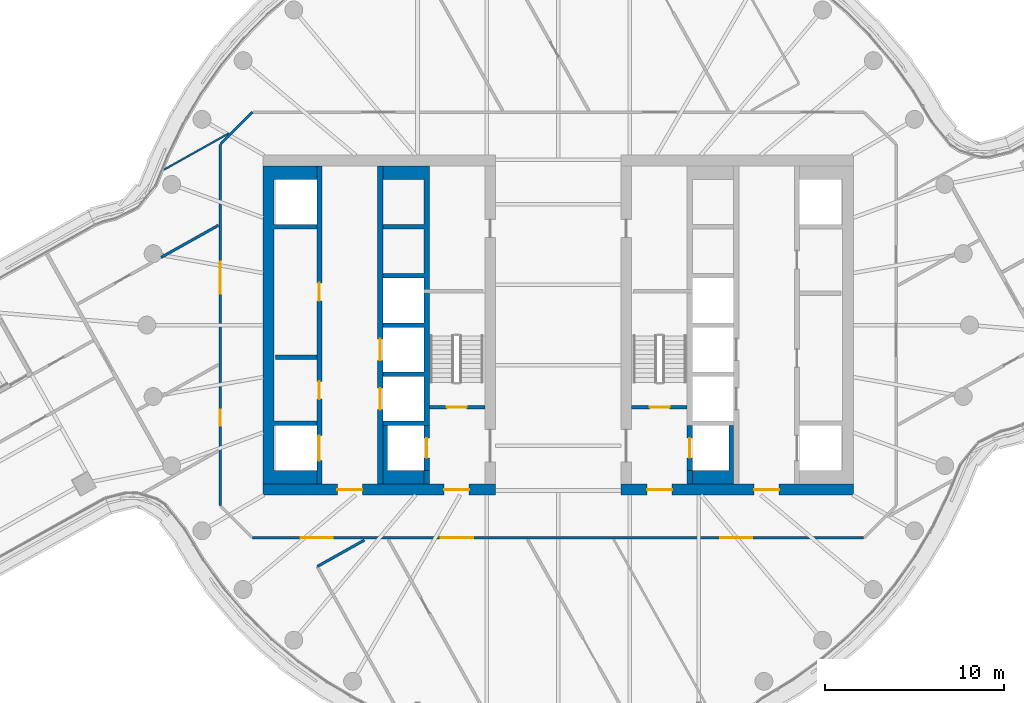
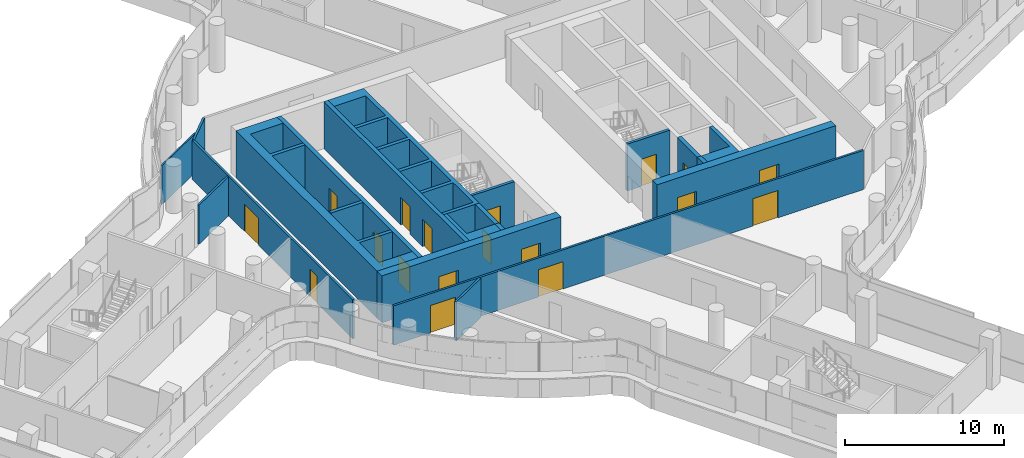
# One storey, part 22 of 34: 21 walls, 18 doors, 18 openings.
"""IFC4 building model written with IfcOpenShell, lengths in metres."""

from ifc_helpers import new_model, si_unit, direction, frame, frame_2d, origin, place, context, subcontext, project, spatial, polyline, rectangle, outline, extrude, material, layer, layer_set, type_object, element, fill, save


model = new_model("IFC4")

# Units and contexts
model_context = context("Model", 3, precision=1e-05, world=origin(), true_north=direction((0.0, 1.0)))
body_context = subcontext(model_context, "Body", "Model", "MODEL_VIEW")
ifc_project = project(units=[si_unit("LENGTHUNIT", "METRE"), si_unit("AREAUNIT", "SQUARE_METRE"), si_unit("VOLUMEUNIT", "CUBIC_METRE"), si_unit("PLANEANGLEUNIT", "RADIAN"), si_unit("MASSUNIT", "GRAM", prefix="KILO")], contexts=[model_context])

# Site, building, storey
site_placement = place(None, origin())
site = spatial("IfcSite", under=ifc_project, at=site_placement, CompositionType="ELEMENT")
building_placement = place(site_placement, origin())
building = spatial("IfcBuilding", under=site, at=building_placement, Name="Tamarind Cross Interchange Tower", CompositionType="ELEMENT")
storey_placement = place(building_placement, frame((0.0, 0.0, 140.5)))
storey = spatial("IfcBuildingStorey", under=building, at=storey_placement, Name="L34", CompositionType="ELEMENT", Elevation=140.5)

# Wall, openings, doors
ifc_material_1 = material(Name="Concrete C60", Category="concrete")
ifc_layer_1 = layer(ifc_material_1, 0.60009765625)
ifc_layer_set_1 = layer_set([ifc_layer_1], Name="Concrete C60")
wall_type_1 = type_object("IfcWallType", Name="Core wall 600 mm Concrete C60", PredefinedType="SHEAR", material=ifc_layer_set_1)
wall_1_placement = place(storey_placement, frame((-16.5, -9.199951171875, 0.0), z_axis=(0.0, 0.0, 1.0), x_axis=(1.0, 0.0, 0.0)))
wall_1 = element("IfcWall", 1, at=wall_1_placement, inside=storey, type_object=wall_type_1, Name="Core wall CWL-L34-W-S", PredefinedType="SHEAR", context=body_context, shape_type="SweptSolid", body=[
    extrude(rectangle(XDim=13.0, YDim=0.60009765625, at=frame_2d((6.5, 0.0))), origin(), (0.0, 0.0, 1.0), 3.610107421875),
])
opening_1_placement = place(wall_1_placement, frame((4.14990234375, 0.0, 0.0)))
opening_1 = element("IfcOpeningElement", 2, at=opening_1_placement, cuts=wall_1, Name="Opening DCW1", PredefinedType="OPENING", context=body_context, shape_type="SweptSolid", body=[
    extrude(rectangle(XDim=1.39990234375, YDim=2.10009765625, at=frame_2d((0.699951171875, 1.050048828125))), frame((0.0, 0.31005859375, 0.0), z_axis=(0.0, -1.0, 0.0), x_axis=(1.0, 0.0, 0.0)), (0.0, 0.0, 1.0), 0.6201171875),
])
opening_2_placement = place(wall_1_placement, frame((10.125, 0.0, 0.0)))
opening_2 = element("IfcOpeningElement", 3, at=opening_2_placement, cuts=wall_1, Name="Opening DCWF", PredefinedType="OPENING", context=body_context, shape_type="SweptSolid", body=[
    extrude(rectangle(XDim=1.39990234375, YDim=2.10009765625, at=frame_2d((0.699951171875, 1.050048828125))), frame((0.0, 0.31005859375, 0.0), z_axis=(0.0, -1.0, 0.0), x_axis=(1.0, 0.0, 0.0)), (0.0, 0.0, 1.0), 0.6201171875),
])
ifc_material_2 = material(Name="Steel, fire-resisting", Category="steel")
door_type_1 = type_object("IfcDoorType", Name="Core fire door 1400 x 2100 FD90", OperationType="SINGLE_SWING_LEFT", PredefinedType="DOOR", material=ifc_material_2)
door_1_placement = place(opening_1_placement, origin())
door_1 = element("IfcDoor", 4, at=door_1_placement, inside=storey, type_object=door_type_1, Name="L34 lift lobby door", OperationType="SINGLE_SWING_LEFT", OverallHeight=2.10009765625, OverallWidth=1.39990234375, PredefinedType="DOOR", context=body_context, shape_type="SweptSolid", body=[
    extrude(rectangle(XDim=1.39990234375, YDim=2.10009765625, at=frame_2d((0.699951171875, 1.050048828125))), frame((0.0, 0.02490234375, 0.0), z_axis=(0.0, -1.0, 0.0), x_axis=(1.0, 0.0, 0.0)), (0.0, 0.0, 1.0), 0.050048828125),
])
fill(opening_1, door_1)
door_2_placement = place(opening_2_placement, origin())
door_2 = element("IfcDoor", 5, at=door_2_placement, inside=storey, type_object=door_type_1, Name="L34 firefighting lobby end door", OperationType="SINGLE_SWING_LEFT", OverallHeight=2.10009765625, OverallWidth=1.39990234375, PredefinedType="DOOR", context=body_context, shape_type="SweptSolid", body=[
    extrude(rectangle(XDim=1.39990234375, YDim=2.10009765625, at=frame_2d((0.699951171875, 1.050048828125))), frame((0.0, 0.02490234375, 0.0), z_axis=(0.0, -1.0, 0.0), x_axis=(1.0, 0.0, 0.0)), (0.0, 0.0, 1.0), 0.050048828125),
])
fill(opening_2, door_2)

# Wall
wall_2_placement = place(storey_placement, origin())
element("IfcWall", 6, at=wall_2_placement, inside=storey, type_object=wall_type_1, Name="Core wall CWL-L34-W-A", PredefinedType="SHEAR", context=body_context, shape_type="SweptSolid", body=[
    extrude(outline(polyline([(-13.5, -8.125), (-15.89990234375, -8.125), (-15.89990234375, -5.625), (-13.5, -5.625), (-13.5, -5.375), (-15.89990234375, -5.375), (-15.89990234375, 5.375), (-13.5, 5.375), (-13.5, 5.625), (-15.89990234375, 5.625), (-15.89990234375, 8.125), (-13.5, 8.125), (-13.5, 8.89990234375), (-15.89990234375, 8.89990234375), (-16.5, 8.89990234375), (-16.5, -8.89990234375), (-15.89990234375, -8.89990234375), (-13.5, -8.89990234375), (-13.5, -8.125)])), origin(), (0.0, 0.0, 1.0), 3.610107421875),
])

# Wall, openings, doors
wall_3_placement = place(storey_placement, frame((16.5, -9.199951171875, 0.0), z_axis=(0.0, 0.0, 1.0), x_axis=(-1.0, 0.0, 0.0)))
wall_3 = element("IfcWall", 7, at=wall_3_placement, inside=storey, type_object=wall_type_1, Name="Core wall CWL-L34-E-S", PredefinedType="SHEAR", context=body_context, shape_type="SweptSolid", body=[
    extrude(rectangle(XDim=13.0, YDim=0.60009765625, at=frame_2d((6.5, 0.0))), origin(), (0.0, 0.0, 1.0), 3.610107421875),
])
opening_3_placement = place(wall_3_placement, frame((4.14990234375, 0.0, 0.0)))
opening_3 = element("IfcOpeningElement", 8, at=opening_3_placement, cuts=wall_3, Name="Opening DCE1", PredefinedType="OPENING", context=body_context, shape_type="SweptSolid", body=[
    extrude(rectangle(XDim=1.39990234375, YDim=2.10009765625, at=frame_2d((0.699951171875, 1.050048828125))), frame((0.0, 0.31005859375, 0.0), z_axis=(0.0, -1.0, 0.0), x_axis=(1.0, 0.0, 0.0)), (0.0, 0.0, 1.0), 0.6201171875),
])
opening_4_placement = place(wall_3_placement, frame((10.125, 0.0, 0.0)))
opening_4 = element("IfcOpeningElement", 9, at=opening_4_placement, cuts=wall_3, Name="Opening DCEF", PredefinedType="OPENING", context=body_context, shape_type="SweptSolid", body=[
    extrude(rectangle(XDim=1.39990234375, YDim=2.10009765625, at=frame_2d((0.699951171875, 1.050048828125))), frame((0.0, 0.31005859375, 0.0), z_axis=(0.0, -1.0, 0.0), x_axis=(1.0, 0.0, 0.0)), (0.0, 0.0, 1.0), 0.6201171875),
])
door_3_placement = place(opening_3_placement, origin())
door_3 = element("IfcDoor", 10, at=door_3_placement, inside=storey, type_object=door_type_1, Name="L34 lift lobby door", OperationType="SINGLE_SWING_LEFT", OverallHeight=2.10009765625, OverallWidth=1.39990234375, PredefinedType="DOOR", context=body_context, shape_type="SweptSolid", body=[
    extrude(rectangle(XDim=1.39990234375, YDim=2.10009765625, at=frame_2d((0.699951171875, 1.050048828125))), frame((0.0, 0.02490234375, 0.0), z_axis=(0.0, -1.0, 0.0), x_axis=(1.0, 0.0, 0.0)), (0.0, 0.0, 1.0), 0.050048828125),
])
fill(opening_3, door_3)
door_4_placement = place(opening_4_placement, origin())
door_4 = element("IfcDoor", 11, at=door_4_placement, inside=storey, type_object=door_type_1, Name="L34 firefighting lobby end door", OperationType="SINGLE_SWING_LEFT", OverallHeight=2.10009765625, OverallWidth=1.39990234375, PredefinedType="DOOR", context=body_context, shape_type="SweptSolid", body=[
    extrude(rectangle(XDim=1.39990234375, YDim=2.10009765625, at=frame_2d((0.699951171875, 1.050048828125))), frame((0.0, 0.02490234375, 0.0), z_axis=(0.0, -1.0, 0.0), x_axis=(1.0, 0.0, 0.0)), (0.0, 0.0, 1.0), 0.050048828125),
])
fill(opening_4, door_4)

# Walls
ifc_layer_2 = layer(ifc_material_1, 0.300048828125)
ifc_layer_set_2 = layer_set([ifc_layer_2], Name="Concrete C60")
wall_type_2 = type_object("IfcWallType", Name="Core web wall 300 mm Concrete C60", PredefinedType="SHEAR", material=ifc_layer_set_2)
wall_4_placement = place(storey_placement, origin())
element("IfcWall", 12, at=wall_4_placement, inside=storey, type_object=wall_type_2, Name="Core wall CWL-L34-W-BN", PredefinedType="SHEAR", context=body_context, shape_type="SweptSolid", body=[
    extrude(outline(polyline([(-9.800048828125, -5.375), (-9.800048828125, -5.625), (-7.5, -5.625), (-7.199951171875, -5.625), (-7.199951171875, 8.89990234375), (-7.5, 8.89990234375), (-9.800048828125, 8.89990234375), (-9.800048828125, 8.125), (-7.5, 8.125), (-7.5, 5.625), (-9.800048828125, 5.625), (-9.800048828125, 5.375), (-7.5, 5.375), (-7.5, 2.875), (-9.800048828125, 2.875), (-9.800048828125, 2.625), (-7.5, 2.625), (-7.5, 0.125), (-9.800048828125, 0.125), (-9.800048828125, -0.125), (-7.5, -0.125), (-7.5, -2.625), (-9.800048828125, -2.625), (-9.800048828125, -2.875), (-7.5, -2.875), (-7.5, -5.375), (-9.800048828125, -5.375)])), origin(), (0.0, 0.0, 1.0), 3.610107421875),
])
wall_5_placement = place(storey_placement, origin())
element("IfcWall", 13, at=wall_5_placement, inside=storey, type_object=wall_type_2, Name="Core wall CWL-L34-W-BS", PredefinedType="SHEAR", context=body_context, shape_type="SweptSolid", body=[
    extrude(outline(polyline([(-7.5, -8.125), (-9.550048828125, -8.125), (-9.550048828125, -5.625), (-9.800048828125, -5.625), (-9.800048828125, -8.125), (-9.800048828125, -8.89990234375), (-7.5, -8.89990234375), (-7.5, -8.125)])), origin(), (0.0, 0.0, 1.0), 3.610107421875),
])
wall_6_placement = place(storey_placement, frame((-7.35009765625, -8.89990234375, 0.0), z_axis=(0.0, 0.0, 1.0), x_axis=(0.0, 1.0, 0.0)))
element("IfcWall", 14, at=wall_6_placement, inside=storey, type_object=wall_type_2, Name="Core wall CWL-L34-W-BW", PredefinedType="SHEAR", context=body_context, shape_type="SweptSolid", body=[
    extrude(rectangle(XDim=0.77490234375, YDim=0.300048828125, at=frame_2d((0.387451171875, 0.0))), origin(), (0.0, 0.0, 1.0), 3.610107421875),
])

# Wall, openings, doors
wall_7_placement = place(storey_placement, frame((-13.35009765625, -8.89990234375, 0.0), z_axis=(0.0, 0.0, 1.0), x_axis=(0.0, 1.0, 0.0)))
wall_7 = element("IfcWall", 15, at=wall_7_placement, inside=storey, type_object=wall_type_2, Name="Core wall CWL-L34-W-LA", PredefinedType="SHEAR", context=body_context, shape_type="SweptSolid", body=[
    extrude(rectangle(XDim=17.7998046875, YDim=0.300048828125, at=frame_2d((8.89990234375, 0.0))), origin(), (0.0, 0.0, 1.0), 3.610107421875),
])
opening_5_placement = place(wall_7_placement, frame((1.324951171875, 0.0, 0.0)))
opening_5 = element("IfcOpeningElement", 16, at=opening_5_placement, cuts=wall_7, Name="Opening LD1L34", PredefinedType="OPENING", context=body_context, shape_type="SweptSolid", body=[
    extrude(rectangle(XDim=1.39990234375, YDim=2.10009765625, at=frame_2d((0.699951171875, 1.050048828125))), frame((0.0, 0.159912109375, 0.0), z_axis=(0.0, -1.0, 0.0), x_axis=(1.0, 0.0, 0.0)), (0.0, 0.0, 1.0), 0.320068359375),
])
opening_6_placement = place(wall_7_placement, frame((4.75390625, 0.0, 0.0)))
opening_6 = element("IfcOpeningElement", 17, at=opening_6_placement, cuts=wall_7, Name="Opening DCW9", PredefinedType="OPENING", context=body_context, shape_type="SweptSolid", body=[
    extrude(rectangle(XDim=1.0, YDim=2.10009765625, at=frame_2d((0.5, 1.050048828125))), frame((0.0, 0.159912109375, 0.0), z_axis=(0.0, -1.0, 0.0), x_axis=(1.0, 0.0, 0.0)), (0.0, 0.0, 1.0), 0.320068359375),
])
opening_7_placement = place(wall_7_placement, frame((10.25390625, 0.0, 0.0)))
opening_7 = element("IfcOpeningElement", 18, at=opening_7_placement, cuts=wall_7, Name="Opening DCW10", PredefinedType="OPENING", context=body_context, shape_type="SweptSolid", body=[
    extrude(rectangle(XDim=1.0, YDim=2.10009765625, at=frame_2d((0.5, 1.050048828125))), frame((0.0, 0.159912109375, 0.0), z_axis=(0.0, -1.0, 0.0), x_axis=(1.0, 0.0, 0.0)), (0.0, 0.0, 1.0), 0.320068359375),
])
door_type_2 = type_object("IfcDoorType", Name="Core fire door 1000 x 2100 FD90", OperationType="SINGLE_SWING_LEFT", PredefinedType="DOOR", material=ifc_material_2)
door_5_placement = place(opening_6_placement, origin())
door_5 = element("IfcDoor", 19, at=door_5_placement, inside=storey, type_object=door_type_2, Name="L34 Print room door", OperationType="SINGLE_SWING_LEFT", OverallHeight=2.10009765625, OverallWidth=1.0, PredefinedType="DOOR", context=body_context, shape_type="SweptSolid", body=[
    extrude(rectangle(XDim=1.0, YDim=2.10009765625, at=frame_2d((0.5, 1.050048828125))), frame((0.0, 0.02490234375, 0.0), z_axis=(0.0, -1.0, 0.0), x_axis=(1.0, 0.0, 0.0)), (0.0, 0.0, 1.0), 0.050048828125),
])
fill(opening_6, door_5)
door_6_placement = place(opening_7_placement, origin())
door_6 = element("IfcDoor", 20, at=door_6_placement, inside=storey, type_object=door_type_2, Name="L34 IT room door", OperationType="SINGLE_SWING_LEFT", OverallHeight=2.10009765625, OverallWidth=1.0, PredefinedType="DOOR", context=body_context, shape_type="SweptSolid", body=[
    extrude(rectangle(XDim=1.0, YDim=2.10009765625, at=frame_2d((0.5, 1.050048828125))), frame((0.0, 0.02490234375, 0.0), z_axis=(0.0, -1.0, 0.0), x_axis=(1.0, 0.0, 0.0)), (0.0, 0.0, 1.0), 0.050048828125),
])
fill(opening_7, door_6)
ifc_material_3 = material(Name="Stainless steel panel", Category="steel")
door_type_3 = type_object("IfcDoorType", Name="Lift landing door 1400 x 2100 E 120", OperationType="SLIDING_TO_LEFT", PredefinedType="DOOR", material=ifc_material_3)
door_7_placement = place(opening_5_placement, origin())
door_7 = element("IfcDoor", 21, at=door_7_placement, inside=storey, type_object=door_type_3, Name="L34 landing door LF1", OperationType="SLIDING_TO_LEFT", OverallHeight=2.10009765625, OverallWidth=1.39990234375, PredefinedType="DOOR", context=body_context, shape_type="SweptSolid", body=[
    extrude(rectangle(XDim=1.39990234375, YDim=2.10009765625, at=frame_2d((0.699951171875, 1.050048828125))), frame((0.0, 0.02490234375, 0.0), z_axis=(0.0, -1.0, 0.0), x_axis=(1.0, 0.0, 0.0)), (0.0, 0.0, 1.0), 0.050048828125),
])
fill(opening_5, door_7)

wall_8_placement = place(storey_placement, frame((-9.949951171875, -8.89990234375, 0.0), z_axis=(0.0, 0.0, 1.0), x_axis=(0.0, 1.0, 0.0)))
wall_8 = element("IfcWall", 22, at=wall_8_placement, inside=storey, type_object=wall_type_2, Name="Core wall CWL-L34-W-LB", PredefinedType="SHEAR", context=body_context, shape_type="SweptSolid", body=[
    extrude(rectangle(XDim=17.7998046875, YDim=0.300048828125, at=frame_2d((8.89990234375, 0.0))), origin(), (0.0, 0.0, 1.0), 3.610107421875),
])
opening_8_placement = place(wall_8_placement, frame((4.175048828125, 0.0, 0.0)))
opening_8 = element("IfcOpeningElement", 23, at=opening_8_placement, cuts=wall_8, Name="Opening LD8L34", PredefinedType="OPENING", context=body_context, shape_type="SweptSolid", body=[
    extrude(rectangle(XDim=1.199951171875, YDim=2.10009765625, at=frame_2d((0.60009765625, 1.050048828125))), frame((0.0, 0.159912109375, 0.0), z_axis=(0.0, -1.0, 0.0), x_axis=(1.0, 0.0, 0.0)), (0.0, 0.0, 1.0), 0.320068359375),
])
opening_9_placement = place(wall_8_placement, frame((6.925048828125, 0.0, 0.0)))
opening_9 = element("IfcOpeningElement", 24, at=opening_9_placement, cuts=wall_8, Name="Opening LD9L34", PredefinedType="OPENING", context=body_context, shape_type="SweptSolid", body=[
    extrude(rectangle(XDim=1.199951171875, YDim=2.10009765625, at=frame_2d((0.60009765625, 1.050048828125))), frame((0.0, 0.159912109375, 0.0), z_axis=(0.0, -1.0, 0.0), x_axis=(1.0, 0.0, 0.0)), (0.0, 0.0, 1.0), 0.320068359375),
])
door_type_4 = type_object("IfcDoorType", Name="Lift landing door 1200 x 2100 E 120", OperationType="SLIDING_TO_LEFT", PredefinedType="DOOR", material=ifc_material_3)
door_8_placement = place(opening_8_placement, origin())
door_8 = element("IfcDoor", 25, at=door_8_placement, inside=storey, type_object=door_type_4, Name="L34 landing door LF8", OperationType="SLIDING_TO_LEFT", OverallHeight=2.10009765625, OverallWidth=1.199951171875, PredefinedType="DOOR", context=body_context, shape_type="SweptSolid", body=[
    extrude(rectangle(XDim=1.199951171875, YDim=2.10009765625, at=frame_2d((0.60009765625, 1.050048828125))), frame((0.0, 0.02490234375, 0.0), z_axis=(0.0, -1.0, 0.0), x_axis=(1.0, 0.0, 0.0)), (0.0, 0.0, 1.0), 0.050048828125),
])
fill(opening_8, door_8)
door_9_placement = place(opening_9_placement, origin())
door_9 = element("IfcDoor", 26, at=door_9_placement, inside=storey, type_object=door_type_4, Name="L34 landing door LF9", OperationType="SLIDING_TO_LEFT", OverallHeight=2.10009765625, OverallWidth=1.199951171875, PredefinedType="DOOR", context=body_context, shape_type="SweptSolid", body=[
    extrude(rectangle(XDim=1.199951171875, YDim=2.10009765625, at=frame_2d((0.60009765625, 1.050048828125))), frame((0.0, 0.02490234375, 0.0), z_axis=(0.0, -1.0, 0.0), x_axis=(1.0, 0.0, 0.0)), (0.0, 0.0, 1.0), 0.050048828125),
])
fill(opening_9, door_9)

# Wall, opening, door
wall_9_placement = place(storey_placement, frame((-7.35009765625, -8.125, 0.0), z_axis=(0.0, 0.0, 1.0), x_axis=(0.0, 1.0, 0.0)))
wall_9 = element("IfcWall", 27, at=wall_9_placement, inside=storey, type_object=wall_type_2, Name="Core wall CWL-L34-W-FF", PredefinedType="SHEAR", context=body_context, shape_type="SweptSolid", body=[
    extrude(rectangle(XDim=2.5, YDim=0.300048828125, at=frame_2d((1.25, 0.0))), origin(), (0.0, 0.0, 1.0), 3.610107421875),
])
opening_10_placement = place(wall_9_placement, frame((0.699951171875, 0.0, 0.0)))
opening_10 = element("IfcOpeningElement", 28, at=opening_10_placement, cuts=wall_9, Name="Opening LD7L34", PredefinedType="OPENING", context=body_context, shape_type="SweptSolid", body=[
    extrude(rectangle(XDim=1.10009765625, YDim=2.10009765625, at=frame_2d((0.550048828125, 1.050048828125))), frame((0.0, 0.159912109375, 0.0), z_axis=(0.0, -1.0, 0.0), x_axis=(1.0, 0.0, 0.0)), (0.0, 0.0, 1.0), 0.320068359375),
])
door_type_5 = type_object("IfcDoorType", Name="Lift landing door 1100 x 2100 E 120", OperationType="SLIDING_TO_LEFT", PredefinedType="DOOR", material=ifc_material_3)
door_10_placement = place(opening_10_placement, origin())
door_10 = element("IfcDoor", 29, at=door_10_placement, inside=storey, type_object=door_type_5, Name="L34 landing door LF7", OperationType="SLIDING_TO_LEFT", OverallHeight=2.10009765625, OverallWidth=1.10009765625, PredefinedType="DOOR", context=body_context, shape_type="SweptSolid", body=[
    extrude(rectangle(XDim=1.10009765625, YDim=2.10009765625, at=frame_2d((0.550048828125, 1.050048828125))), frame((0.0, 0.02490234375, 0.0), z_axis=(0.0, -1.0, 0.0), x_axis=(1.0, 0.0, 0.0)), (0.0, 0.0, 1.0), 0.050048828125),
])
fill(opening_10, door_10)

# Walls
wall_10_placement = place(storey_placement, origin())
element("IfcWall", 30, at=wall_10_placement, inside=storey, type_object=wall_type_2, Name="Core wall CWL-L34-E-BS", PredefinedType="SHEAR", context=body_context, shape_type="SweptSolid", body=[
    extrude(outline(polyline([(7.5, -8.125), (7.5, -8.89990234375), (9.800048828125, -8.89990234375), (9.800048828125, -8.125), (9.800048828125, -5.625), (9.550048828125, -5.625), (9.550048828125, -8.125), (7.5, -8.125)])), origin(), (0.0, 0.0, 1.0), 3.610107421875),
])
wall_11_placement = place(storey_placement, frame((7.35009765625, -8.89990234375, 0.0), z_axis=(0.0, 0.0, 1.0), x_axis=(0.0, 1.0, 0.0)))
element("IfcWall", 31, at=wall_11_placement, inside=storey, type_object=wall_type_2, Name="Core wall CWL-L34-E-BW", PredefinedType="SHEAR", context=body_context, shape_type="SweptSolid", body=[
    extrude(rectangle(XDim=0.77490234375, YDim=0.300048828125, at=frame_2d((0.387451171875, 0.0))), origin(), (0.0, 0.0, 1.0), 3.610107421875),
])

# Wall, opening, door
wall_12_placement = place(storey_placement, frame((7.35009765625, -8.125, 0.0), z_axis=(0.0, 0.0, 1.0), x_axis=(0.0, 1.0, 0.0)))
wall_12 = element("IfcWall", 32, at=wall_12_placement, inside=storey, type_object=wall_type_2, Name="Core wall CWL-L34-E-FF", PredefinedType="SHEAR", context=body_context, shape_type="SweptSolid", body=[
    extrude(rectangle(XDim=2.5, YDim=0.300048828125, at=frame_2d((1.25, 0.0))), origin(), (0.0, 0.0, 1.0), 3.610107421875),
])
opening_11_placement = place(wall_12_placement, frame((0.699951171875, 0.0, 0.0)))
opening_11 = element("IfcOpeningElement", 33, at=opening_11_placement, cuts=wall_12, Name="Opening LD19L34", PredefinedType="OPENING", context=body_context, shape_type="SweptSolid", body=[
    extrude(rectangle(XDim=1.10009765625, YDim=2.10009765625, at=frame_2d((0.550048828125, 1.050048828125))), frame((0.0, 0.159912109375, 0.0), z_axis=(0.0, -1.0, 0.0), x_axis=(1.0, 0.0, 0.0)), (0.0, 0.0, 1.0), 0.320068359375),
])
door_11_placement = place(opening_11_placement, origin())
door_11 = element("IfcDoor", 34, at=door_11_placement, inside=storey, type_object=door_type_5, Name="L34 landing door LF19", OperationType="SLIDING_TO_LEFT", OverallHeight=2.10009765625, OverallWidth=1.10009765625, PredefinedType="DOOR", context=body_context, shape_type="SweptSolid", body=[
    extrude(rectangle(XDim=1.10009765625, YDim=2.10009765625, at=frame_2d((0.550048828125, 1.050048828125))), frame((0.0, 0.02490234375, 0.0), z_axis=(0.0, -1.0, 0.0), x_axis=(1.0, 0.0, 0.0)), (0.0, 0.0, 1.0), 0.050048828125),
])
fill(opening_11, door_11)

# Wall
ifc_material_4 = material(Name="Gypsum board partition on steel studs", Category="steel")
ifc_layer_3 = layer(ifc_material_4, 0.10009765625)
ifc_layer_set_3 = layer_set([ifc_layer_3], Name="Gypsum board partition on steel studs")
wall_type_3 = type_object("IfcWallType", Name="Partition 100 mm EI 120", PredefinedType="PARTITIONING", material=ifc_layer_set_3)
wall_13_placement = place(storey_placement, frame((-22.04150390625, 8.687255859375, 0.0), z_axis=(0.0, 0.0, 1.0), x_axis=(0.872402083338, 0.488788916597, 0.0)))
element("IfcWall", 35, at=wall_13_placement, inside=storey, type_object=wall_type_3, Name="Partition L34-046", PredefinedType="PARTITIONING", context=body_context, shape_type="SweptSolid", body=[
    extrude(rectangle(XDim=4.166748046875, YDim=0.10009765625, at=frame_2d((2.08349609375, 0.0))), origin(), (0.0, 0.0, 1.0), 3.010009765625),
])

# Wall, openings, doors
ifc_layer_4 = layer(ifc_material_4, 0.14990234375)
ifc_layer_set_4 = layer_set([ifc_layer_4], Name="Gypsum board partition on steel studs")
wall_type_4 = type_object("IfcWallType", Name="Partition 150 mm EI 120", PredefinedType="PARTITIONING", material=ifc_layer_set_4)
wall_14_placement = place(storey_placement, frame((-17.10009765625, -11.89990234375, 0.0), z_axis=(0.0, 0.0, 1.0), x_axis=(1.0, 0.0, 0.0)))
wall_14 = element("IfcWall", 36, at=wall_14_placement, inside=storey, type_object=wall_type_4, Name="Partition L34-036", PredefinedType="PARTITIONING", context=body_context, shape_type="SweptSolid", body=[
    extrude(rectangle(XDim=34.1650390625, YDim=0.14990234375, at=frame_2d((17.08251953125, 0.0))), origin(), (0.0, 0.0, 1.0), 3.010009765625),
])
opening_12_placement = place(wall_14_placement, frame((10.5458984375, 0.0, 0.0)))
opening_12 = element("IfcOpeningElement", 37, at=opening_12_placement, cuts=wall_14, Name="Opening D19", PredefinedType="OPENING", context=body_context, shape_type="SweptSolid", body=[
    extrude(rectangle(XDim=1.800048828125, YDim=2.10009765625, at=frame_2d((0.89990234375, 1.050048828125))), frame((0.0, 0.0849609375, 0.0), z_axis=(0.0, -1.0, 0.0), x_axis=(1.0, 0.0, 0.0)), (0.0, 0.0, 1.0), 0.169921875),
])
opening_13_placement = place(wall_14_placement, frame((2.699951171875, 0.0, 0.0)))
opening_13 = element("IfcOpeningElement", 38, at=opening_13_placement, cuts=wall_14, Name="Opening D20", PredefinedType="OPENING", context=body_context, shape_type="SweptSolid", body=[
    extrude(rectangle(XDim=1.800048828125, YDim=2.10009765625, at=frame_2d((0.89990234375, 1.050048828125))), frame((0.0, 0.0849609375, 0.0), z_axis=(0.0, -1.0, 0.0), x_axis=(1.0, 0.0, 0.0)), (0.0, 0.0, 1.0), 0.169921875),
])
opening_14_placement = place(wall_14_placement, frame((26.154052734375, 0.0, 0.0)))
opening_14 = element("IfcOpeningElement", 39, at=opening_14_placement, cuts=wall_14, Name="Opening D21", PredefinedType="OPENING", context=body_context, shape_type="SweptSolid", body=[
    extrude(rectangle(XDim=1.800048828125, YDim=2.10009765625, at=frame_2d((0.89990234375, 1.050048828125))), frame((0.0, 0.0849609375, 0.0), z_axis=(0.0, -1.0, 0.0), x_axis=(1.0, 0.0, 0.0)), (0.0, 0.0, 1.0), 0.169921875),
])
ifc_material_5 = material(Name="Fire-resisting door set")
door_type_6 = type_object("IfcDoorType", Name="Interior door 1800 x 2100 FD60S", OperationType="DOUBLE_DOOR_SINGLE_SWING", PredefinedType="DOOR", material=ifc_material_5)
door_12_placement = place(opening_12_placement, origin())
door_12 = element("IfcDoor", 40, at=door_12_placement, inside=storey, type_object=door_type_6, Name="Door D19", OperationType="DOUBLE_DOOR_SINGLE_SWING", OverallHeight=2.10009765625, OverallWidth=1.800048828125, PredefinedType="DOOR", context=body_context, shape_type="SweptSolid", body=[
    extrude(rectangle(XDim=1.800048828125, YDim=2.10009765625, at=frame_2d((0.89990234375, 1.050048828125))), frame((0.0, 0.02490234375, 0.0), z_axis=(0.0, -1.0, 0.0), x_axis=(1.0, 0.0, 0.0)), (0.0, 0.0, 1.0), 0.050048828125),
])
fill(opening_12, door_12)
door_13_placement = place(opening_13_placement, frame((1.800048828125, 0.0, 0.0), z_axis=(0.0, 0.0, 1.0), x_axis=(-1.0, 0.0, 0.0)))
door_13 = element("IfcDoor", 41, at=door_13_placement, inside=storey, type_object=door_type_6, Name="Door D20", OperationType="DOUBLE_DOOR_SINGLE_SWING", OverallHeight=2.10009765625, OverallWidth=1.800048828125, PredefinedType="DOOR", context=body_context, shape_type="SweptSolid", body=[
    extrude(rectangle(XDim=1.800048828125, YDim=2.10009765625, at=frame_2d((0.89990234375, 1.050048828125))), frame((0.0, 0.02490234375, 0.0), z_axis=(0.0, -1.0, 0.0), x_axis=(1.0, 0.0, 0.0)), (0.0, 0.0, 1.0), 0.050048828125),
])
fill(opening_13, door_13)
door_14_placement = place(opening_14_placement, frame((1.800048828125, 0.0, 0.0), z_axis=(0.0, 0.0, 1.0), x_axis=(-1.0, 0.0, 0.0)))
door_14 = element("IfcDoor", 42, at=door_14_placement, inside=storey, type_object=door_type_6, Name="Door D21", OperationType="DOUBLE_DOOR_SINGLE_SWING", OverallHeight=2.10009765625, OverallWidth=1.800048828125, PredefinedType="DOOR", context=body_context, shape_type="SweptSolid", body=[
    extrude(rectangle(XDim=1.800048828125, YDim=2.10009765625, at=frame_2d((0.89990234375, 1.050048828125))), frame((0.0, 0.02490234375, 0.0), z_axis=(0.0, -1.0, 0.0), x_axis=(1.0, 0.0, 0.0)), (0.0, 0.0, 1.0), 0.050048828125),
])
fill(opening_14, door_14)

# Walls
wall_15_placement = place(storey_placement, frame((-22.196044921875, 3.786865234375, 0.0), z_axis=(0.0, 0.0, 1.0), x_axis=(0.872475366489, 0.488658096086, 0.0)))
element("IfcWall", 43, at=wall_15_placement, inside=storey, type_object=wall_type_4, Name="Partition L34-042", PredefinedType="PARTITIONING", context=body_context, shape_type="SweptSolid", body=[
    extrude(rectangle(XDim=3.667724609375, YDim=0.14990234375, at=frame_2d((1.833984375, 0.0))), origin(), (0.0, 0.0, 1.0), 3.010009765625),
])
wall_16_placement = place(storey_placement, frame((-13.471923828125, -13.5, 0.0), z_axis=(0.0, 0.0, 1.0), x_axis=(0.872333793229, 0.488910782446, 0.0)))
element("IfcWall", 44, at=wall_16_placement, inside=storey, type_object=wall_type_4, Name="Partition L34-048", PredefinedType="PARTITIONING", context=body_context, shape_type="SweptSolid", body=[
    extrude(rectangle(XDim=3.022705078125, YDim=0.14990234375, at=frame_2d((1.51123046875, 0.0))), origin(), (0.0, 0.0, 1.0), 3.010009765625),
])
wall_17_placement = place(storey_placement, frame((-18.87158203125, 10.12841796875, 0.0), z_axis=(0.0, 0.0, 1.0), x_axis=(0.707106781187, 0.707106781187, 0.0)))
element("IfcWall", 45, at=wall_17_placement, inside=storey, type_object=wall_type_4, Name="Partition L34-070", PredefinedType="PARTITIONING", context=body_context, shape_type="SweptSolid", body=[
    extrude(rectangle(XDim=2.50537109375, YDim=0.14990234375, at=frame_2d((1.252685546875, 0.0))), origin(), (0.0, 0.0, 1.0), 3.010009765625),
])

# Wall, openings, doors
wall_18_placement = place(storey_placement, frame((-18.89990234375, -10.10009765625, 0.0), z_axis=(0.0, 0.0, 1.0), x_axis=(0.0, 1.0, 0.0)))
wall_18 = element("IfcWall", 46, at=wall_18_placement, inside=storey, type_object=wall_type_4, Name="Partition L34-072", PredefinedType="PARTITIONING", context=body_context, shape_type="SweptSolid", body=[
    extrude(rectangle(XDim=20.2001953125, YDim=0.14990234375, at=frame_2d((10.10009765625, 0.0))), origin(), (0.0, 0.0, 1.0), 3.010009765625),
])
opening_15_placement = place(wall_18_placement, frame((11.839111328125, 0.0, 0.0)))
opening_15 = element("IfcOpeningElement", 47, at=opening_15_placement, cuts=wall_18, Name="Opening D39", PredefinedType="OPENING", context=body_context, shape_type="SweptSolid", body=[
    extrude(rectangle(XDim=1.800048828125, YDim=2.10009765625, at=frame_2d((0.89990234375, 1.050048828125))), frame((0.0, 0.0849609375, 0.0), z_axis=(0.0, -1.0, 0.0), x_axis=(1.0, 0.0, 0.0)), (0.0, 0.0, 1.0), 0.169921875),
])
opening_16_placement = place(wall_18_placement, frame((4.47509765625, 0.0, 0.0)))
opening_16 = element("IfcOpeningElement", 48, at=opening_16_placement, cuts=wall_18, Name="Opening D40", PredefinedType="OPENING", context=body_context, shape_type="SweptSolid", body=[
    extrude(rectangle(XDim=0.89990234375, YDim=2.10009765625, at=frame_2d((0.449951171875, 1.050048828125))), frame((0.0, 0.0849609375, 0.0), z_axis=(0.0, -1.0, 0.0), x_axis=(1.0, 0.0, 0.0)), (0.0, 0.0, 1.0), 0.169921875),
])
door_15_placement = place(opening_15_placement, frame((1.800048828125, 0.0, 0.0), z_axis=(0.0, 0.0, 1.0), x_axis=(-1.0, 0.0, 0.0)))
door_15 = element("IfcDoor", 49, at=door_15_placement, inside=storey, type_object=door_type_6, Name="Door D39", OperationType="DOUBLE_DOOR_SINGLE_SWING", OverallHeight=2.10009765625, OverallWidth=1.800048828125, PredefinedType="DOOR", context=body_context, shape_type="SweptSolid", body=[
    extrude(rectangle(XDim=1.800048828125, YDim=2.10009765625, at=frame_2d((0.89990234375, 1.050048828125))), frame((0.0, 0.02490234375, 0.0), z_axis=(0.0, -1.0, 0.0), x_axis=(1.0, 0.0, 0.0)), (0.0, 0.0, 1.0), 0.050048828125),
])
fill(opening_15, door_15)
door_type_7 = type_object("IfcDoorType", Name="Interior door 900 x 2100 FD60S", OperationType="SINGLE_SWING_LEFT", PredefinedType="DOOR", material=ifc_material_5)
door_16_placement = place(opening_16_placement, origin())
door_16 = element("IfcDoor", 50, at=door_16_placement, inside=storey, type_object=door_type_7, Name="Door D40", OperationType="SINGLE_SWING_RIGHT", OverallHeight=2.10009765625, OverallWidth=0.89990234375, PredefinedType="DOOR", context=body_context, shape_type="SweptSolid", body=[
    extrude(rectangle(XDim=0.89990234375, YDim=2.10009765625, at=frame_2d((0.449951171875, 1.050048828125))), frame((0.0, 0.02490234375, 0.0), z_axis=(0.0, -1.0, 0.0), x_axis=(1.0, 0.0, 0.0)), (0.0, 0.0, 1.0), 0.050048828125),
])
fill(opening_16, door_16)

# Wall
ifc_material_6 = material(Name="Concrete C40", Category="concrete")
ifc_layer_5 = layer(ifc_material_6, 0.25)
ifc_layer_set_5 = layer_set([ifc_layer_5], Name="Concrete C40")
wall_type_5 = type_object("IfcWallType", Name="Shaft and lobby wall 250 mm Concrete C40", PredefinedType="PARTITIONING", material=ifc_layer_set_5)
wall_19_placement = place(storey_placement, frame((-15.800048828125, -1.7919921875, 0.0), z_axis=(0.0, 0.0, 1.0), x_axis=(1.0, 0.0, 0.0)))
element("IfcWall", 51, at=wall_19_placement, inside=storey, type_object=wall_type_5, Name="Shaft wall CWL-L34-W-FPA1", PredefinedType="PARTITIONING", context=body_context, shape_type="SweptSolid", body=[
    extrude(rectangle(XDim=2.300048828125, YDim=0.25, at=frame_2d((1.14990234375, 0.0))), origin(), (0.0, 0.0, 1.0), 3.610107421875),
])

# Wall, opening, door
ifc_layer_6 = layer(ifc_material_6, 0.199951171875)
ifc_layer_set_6 = layer_set([ifc_layer_6], Name="Concrete C40")
wall_type_6 = type_object("IfcWallType", Name="Stair shaft wall 200 mm Concrete C40", PredefinedType="SHEAR", material=ifc_layer_set_6)
wall_20_placement = place(storey_placement, frame((-7.199951171875, -4.60009765625, 0.0), z_axis=(0.0, 0.0, 1.0), x_axis=(1.0, 0.0, 0.0)))
wall_20 = element("IfcWall", 52, at=wall_20_placement, inside=storey, type_object=wall_type_6, Name="Core wall CWL-L34-W-SD", PredefinedType="SHEAR", context=body_context, shape_type="SweptSolid", body=[
    extrude(rectangle(XDim=3.099853515625, YDim=0.199951171875, at=frame_2d((1.5498046875, 0.0))), origin(), (0.0, 0.0, 1.0), 3.610107421875),
])
opening_17_placement = place(wall_20_placement, frame((0.97509765625, 0.0, 0.0)))
opening_17 = element("IfcOpeningElement", 53, at=opening_17_placement, cuts=wall_20, Name="Opening DCW6", PredefinedType="OPENING", context=body_context, shape_type="SweptSolid", body=[
    extrude(rectangle(XDim=1.10009765625, YDim=2.10009765625, at=frame_2d((0.550048828125, 1.050048828125))), frame((0.0, 0.10986328125, 0.0), z_axis=(0.0, -1.0, 0.0), x_axis=(1.0, 0.0, 0.0)), (0.0, 0.0, 1.0), 0.219970703125),
])
door_type_8 = type_object("IfcDoorType", Name="Core fire door 1100 x 2100 FD90", OperationType="SINGLE_SWING_LEFT", PredefinedType="DOOR", material=ifc_material_2)
door_17_placement = place(opening_17_placement, origin())
door_17 = element("IfcDoor", 54, at=door_17_placement, inside=storey, type_object=door_type_8, Name="L34 stair door", OperationType="SINGLE_SWING_LEFT", OverallHeight=2.10009765625, OverallWidth=1.10009765625, PredefinedType="DOOR", context=body_context, shape_type="SweptSolid", body=[
    extrude(rectangle(XDim=1.10009765625, YDim=2.10009765625, at=frame_2d((0.550048828125, 1.050048828125))), frame((0.0, 0.02490234375, 0.0), z_axis=(0.0, -1.0, 0.0), x_axis=(1.0, 0.0, 0.0)), (0.0, 0.0, 1.0), 0.050048828125),
])
fill(opening_17, door_17)

wall_21_placement = place(storey_placement, frame((7.199951171875, -4.60009765625, 0.0), z_axis=(0.0, 0.0, 1.0), x_axis=(-1.0, 0.0, 0.0)))
wall_21 = element("IfcWall", 55, at=wall_21_placement, inside=storey, type_object=wall_type_6, Name="Core wall CWL-L34-E-SD", PredefinedType="SHEAR", context=body_context, shape_type="SweptSolid", body=[
    extrude(rectangle(XDim=3.099853515625, YDim=0.199951171875, at=frame_2d((1.5498046875, 0.0))), origin(), (0.0, 0.0, 1.0), 3.610107421875),
])
opening_18_placement = place(wall_21_placement, frame((0.97509765625, 0.0, 0.0)))
opening_18 = element("IfcOpeningElement", 56, at=opening_18_placement, cuts=wall_21, Name="Opening DCE6", PredefinedType="OPENING", context=body_context, shape_type="SweptSolid", body=[
    extrude(rectangle(XDim=1.10009765625, YDim=2.10009765625, at=frame_2d((0.550048828125, 1.050048828125))), frame((0.0, 0.10986328125, 0.0), z_axis=(0.0, -1.0, 0.0), x_axis=(1.0, 0.0, 0.0)), (0.0, 0.0, 1.0), 0.219970703125),
])
door_18_placement = place(opening_18_placement, origin())
door_18 = element("IfcDoor", 57, at=door_18_placement, inside=storey, type_object=door_type_8, Name="L34 stair door", OperationType="SINGLE_SWING_LEFT", OverallHeight=2.10009765625, OverallWidth=1.10009765625, PredefinedType="DOOR", context=body_context, shape_type="SweptSolid", body=[
    extrude(rectangle(XDim=1.10009765625, YDim=2.10009765625, at=frame_2d((0.550048828125, 1.050048828125))), frame((0.0, 0.02490234375, 0.0), z_axis=(0.0, -1.0, 0.0), x_axis=(1.0, 0.0, 0.0)), (0.0, 0.0, 1.0), 0.050048828125),
])
fill(opening_18, door_18)

save(model, "model.ifc")
